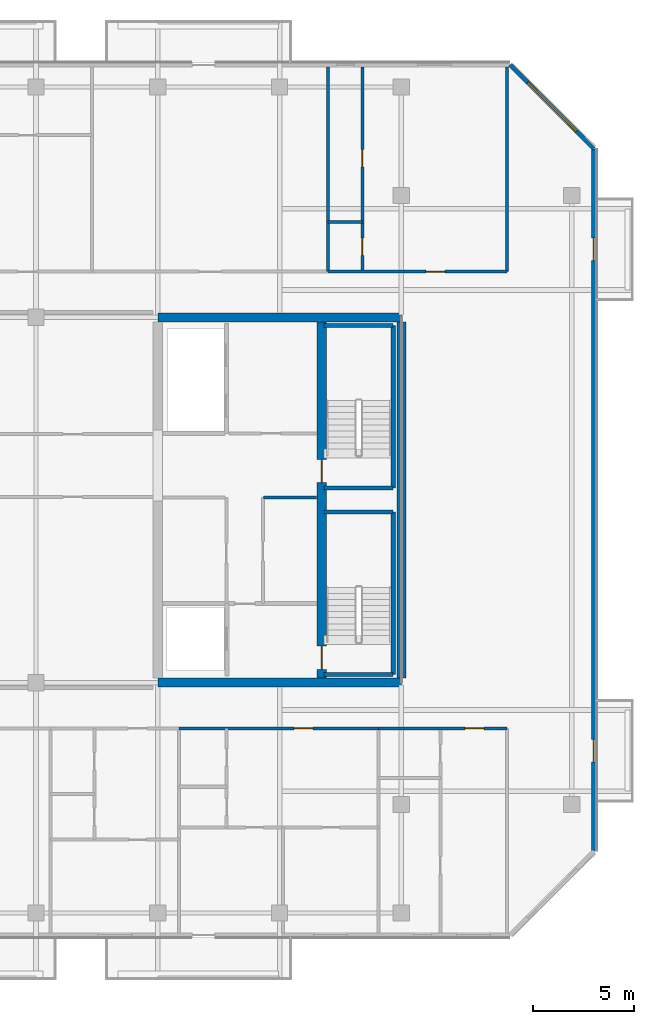
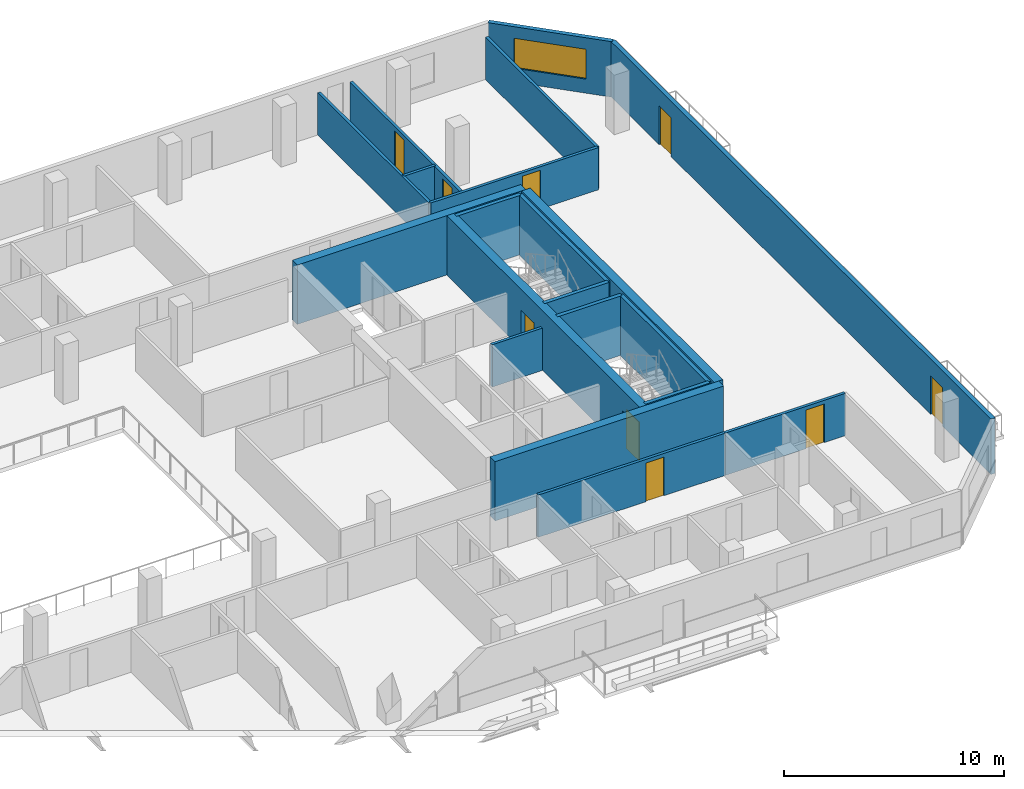
# One storey, part 15 of 20: 20 walls, 9 doors, 1 window, 10 openings.
"""IFC4 building model written with IfcOpenShell, lengths in metres."""

from ifc_helpers import new_model, si_unit, direction, frame, frame_2d, origin, place, context, subcontext, project, spatial, rectangle, extrude, material, layer, layer_set, type_object, element, fill, save


model = new_model("IFC4")

# Units and contexts
model_context = context("Model", 3, precision=1e-05, world=origin(), true_north=direction((0.0, 1.0)))
body_context = subcontext(model_context, "Body", "Model", "MODEL_VIEW")
ifc_project = project(units=[si_unit("LENGTHUNIT", "METRE"), si_unit("AREAUNIT", "SQUARE_METRE"), si_unit("VOLUMEUNIT", "CUBIC_METRE"), si_unit("PLANEANGLEUNIT", "RADIAN"), si_unit("MASSUNIT", "GRAM", prefix="KILO")], contexts=[model_context])

# Site, building, storey
site_placement = place(None, origin())
site = spatial("IfcSite", under=ifc_project, at=site_placement, CompositionType="ELEMENT")
building_placement = place(site_placement, origin())
building = spatial("IfcBuilding", under=site, at=building_placement, Name="Tanjung Sevakor Pilgrim Tower", CompositionType="ELEMENT")
storey_placement = place(building_placement, frame((0.0, 0.0, 201.6298828125)))
storey = spatial("IfcBuildingStorey", under=building, at=storey_placement, Name="L56", CompositionType="ELEMENT", Elevation=201.6298828125)

# Walls
ifc_material_1 = material(Name="Concrete C60/75", Category="concrete")
ifc_layer_1 = layer(ifc_material_1, 0.449951171875)
ifc_layer_set_1 = layer_set([ifc_layer_1], Name="WALL-CW-450")
wall_type_1 = type_object("IfcWallType", Name="WALL-CW-450", PredefinedType="SHEAR", material=ifc_layer_set_1)
for number, where, z_axis, x_axis, name in (
    (1, (78.0, 24.60009765625, 0.0), (0.0, 0.0, 1.0), (1.0, 0.0, 0.0), "L56 E Core South Shear Wall"),
    (2, (90.0, 42.60009765625, 0.0), (0.0, 0.0, 1.0), (-1.0, 0.0, 0.0), "L56 E Core North Shear Wall"),
):
    element("IfcWall", number, at=place(storey_placement, frame(where, z_axis=z_axis, x_axis=x_axis)), inside=storey, type_object=wall_type_1, Name=name, PredefinedType="SHEAR", context=body_context, shape_type="SweptSolid", body=[
        extrude(rectangle(XDim=12.0, YDim=0.449951171875, at=frame_2d((6.0, 0.0))), origin(), (0.0, 0.0, 1.0), 3.300048828125),
    ])
wall_1_placement = place(storey_placement, frame((90.0, 24.824951171875, 0.0), z_axis=(0.0, 0.0, 1.0), x_axis=(0.0, 1.0, 0.0)))
element("IfcWall", 3, at=wall_1_placement, inside=storey, type_object=wall_type_1, Name="L56 E Core Outer Shear Wall", PredefinedType="SHEAR", context=body_context, shape_type="SweptSolid", body=[
    extrude(rectangle(XDim=17.550048828125, YDim=0.449951171875, at=frame_2d((8.77490234375, 0.0))), origin(), (0.0, 0.0, 1.0), 3.300048828125),
])

# Wall, openings, doors
wall_2_placement = place(storey_placement, frame((86.074951171875, 24.824951171875, 0.0), z_axis=(0.0, 0.0, 1.0), x_axis=(0.0, 1.0, 0.0)))
wall_2 = element("IfcWall", 4, at=wall_2_placement, inside=storey, type_object=wall_type_1, Name="L56 E Core Stair Spine Wall", PredefinedType="SHEAR", context=body_context, shape_type="SweptSolid", body=[
    extrude(rectangle(XDim=17.550048828125, YDim=0.449951171875, at=frame_2d((8.77490234375, 0.0))), origin(), (0.0, 0.0, 1.0), 3.300048828125),
])
opening_1_placement = place(wall_2_placement, frame((0.425048828125, 0.0, 0.0)))
opening_1 = element("IfcOpeningElement", 5, at=opening_1_placement, cuts=wall_2, Name="Opening ID-ST1", PredefinedType="OPENING", context=body_context, shape_type="SweptSolid", body=[
    extrude(rectangle(XDim=1.14990234375, YDim=2.14990234375, at=frame_2d((0.574951171875, 1.074951171875))), frame((0.0, 0.23486328125, 0.0), z_axis=(0.0, -1.0, 0.0), x_axis=(1.0, 0.0, 0.0)), (0.0, 0.0, 1.0), 0.469970703125),
])
opening_2_placement = place(wall_2_placement, frame((9.625, 0.0, 0.0)))
opening_2 = element("IfcOpeningElement", 6, at=opening_2_placement, cuts=wall_2, Name="Opening ID-ST1", PredefinedType="OPENING", context=body_context, shape_type="SweptSolid", body=[
    extrude(rectangle(XDim=1.14990234375, YDim=2.14990234375, at=frame_2d((0.574951171875, 1.074951171875))), frame((0.0, 0.23486328125, 0.0), z_axis=(0.0, -1.0, 0.0), x_axis=(1.0, 0.0, 0.0)), (0.0, 0.0, 1.0), 0.469970703125),
])
ifc_material_2 = material(Name="Fire-Rated Steel S355J2", Category="steel")
door_type_1 = type_object("IfcDoorType", Name="DT-FIRE-1150", OperationType="NOTDEFINED", PredefinedType="DOOR", material=ifc_material_2)
door_1_placement = place(opening_1_placement, origin())
door_1 = element("IfcDoor", 7, at=door_1_placement, inside=storey, type_object=door_type_1, Name="L56 TS-E1 Stair Fire Door", OperationType="SINGLE_SWING_RIGHT", OverallHeight=2.14990234375, OverallWidth=1.14990234375, PredefinedType="DOOR", context=body_context, shape_type="SweptSolid", body=[
    extrude(rectangle(XDim=1.14990234375, YDim=2.14990234375, at=frame_2d((0.574951171875, 1.074951171875))), frame((0.0, 0.02490234375, 0.0), z_axis=(0.0, -1.0, 0.0), x_axis=(1.0, 0.0, 0.0)), (0.0, 0.0, 1.0), 0.050048828125),
])
fill(opening_1, door_1)
door_2_placement = place(opening_2_placement, origin())
door_2 = element("IfcDoor", 8, at=door_2_placement, inside=storey, type_object=door_type_1, Name="L56 TS-E2 Stair Fire Door", OperationType="SINGLE_SWING_LEFT", OverallHeight=2.14990234375, OverallWidth=1.14990234375, PredefinedType="DOOR", context=body_context, shape_type="SweptSolid", body=[
    extrude(rectangle(XDim=1.14990234375, YDim=2.14990234375, at=frame_2d((0.574951171875, 1.074951171875))), frame((0.0, 0.02490234375, 0.0), z_axis=(0.0, -1.0, 0.0), x_axis=(1.0, 0.0, 0.0)), (0.0, 0.0, 1.0), 0.050048828125),
])
fill(opening_2, door_2)

# Wall
ifc_material_3 = material(Name="Concrete C40/50", Category="concrete")
ifc_layer_2 = layer(ifc_material_3, 0.14990234375)
ifc_layer_set_2 = layer_set([ifc_layer_2], Name="WT-COMP-150")
wall_type_2 = type_object("IfcWallType", Name="WT-COMP-150", PredefinedType="SOLIDWALL", material=ifc_layer_set_2)
wall_3_placement = place(storey_placement, frame((83.199951171875, 33.719970703125, 0.0), z_axis=(0.0, 0.0, 1.0), x_axis=(1.0, 0.0, 0.0)))
element("IfcWall", 9, at=wall_3_placement, inside=storey, type_object=wall_type_2, Name="L56 Partition IW-L56-012", PredefinedType="SOLIDWALL", context=body_context, shape_type="SweptSolid", body=[
    extrude(rectangle(XDim=2.630126953125, YDim=0.14990234375, at=frame_2d((1.31494140625, 0.0))), origin(), (0.0, 0.0, 1.0), 2.35009765625),
])

# Wall, opening, door
wall_4_placement = place(storey_placement, frame((79.044921875, 22.35009765625, 0.0), z_axis=(0.0, 0.0, 1.0), x_axis=(1.0, 0.0, 0.0)))
wall_4 = element("IfcWall", 10, at=wall_4_placement, inside=storey, type_object=wall_type_2, Name="L56 Partition IW-L56-070", PredefinedType="SOLIDWALL", context=body_context, shape_type="SweptSolid", body=[
    extrude(rectangle(XDim=9.83349609375, YDim=0.14990234375, at=frame_2d((4.916748046875, 0.0))), origin(), (0.0, 0.0, 1.0), 2.35009765625),
])
opening_3_placement = place(wall_4_placement, frame((5.65673828125, 0.0, 0.0)))
opening_3 = element("IfcOpeningElement", 11, at=opening_3_placement, cuts=wall_4, Name="Opening ID-FD2", PredefinedType="OPENING", context=body_context, shape_type="SweptSolid", body=[
    extrude(rectangle(XDim=0.949951171875, YDim=2.14990234375, at=frame_2d((0.47509765625, 1.074951171875))), frame((0.0, 0.0849609375, 0.0), z_axis=(0.0, -1.0, 0.0), x_axis=(1.0, 0.0, 0.0)), (0.0, 0.0, 1.0), 0.169921875),
])
ifc_material_4 = material(Name="Fire-Rated Timber", Category="wood")
door_type_2 = type_object("IfcDoorType", Name="DT-FIRE-950", OperationType="NOTDEFINED", PredefinedType="DOOR", material=ifc_material_4)
door_3_placement = place(opening_3_placement, origin())
door_3 = element("IfcDoor", 12, at=door_3_placement, inside=storey, type_object=door_type_2, Name="Suite Entrance", OperationType="SINGLE_SWING_LEFT", OverallHeight=2.14990234375, OverallWidth=0.949951171875, PredefinedType="DOOR", context=body_context, shape_type="SweptSolid", body=[
    extrude(rectangle(XDim=0.949951171875, YDim=2.14990234375, at=frame_2d((0.47509765625, 1.074951171875))), frame((0.0, 0.02490234375, 0.0), z_axis=(0.0, -1.0, 0.0), x_axis=(1.0, 0.0, 0.0)), (0.0, 0.0, 1.0), 0.050048828125),
])
fill(opening_3, door_3)

wall_5_placement = place(storey_placement, frame((88.87841796875, 22.35009765625, 0.0), z_axis=(0.0, 0.0, 1.0), x_axis=(1.0, 0.0, 0.0)))
wall_5 = element("IfcWall", 13, at=wall_5_placement, inside=storey, type_object=wall_type_2, Name="L56 Partition IW-L56-073", PredefinedType="SOLIDWALL", context=body_context, shape_type="SweptSolid", body=[
    extrude(rectangle(XDim=6.321533203125, YDim=0.14990234375, at=frame_2d((3.16064453125, 0.0))), origin(), (0.0, 0.0, 1.0), 2.35009765625),
])
opening_4_placement = place(wall_5_placement, frame((4.24658203125, 0.0, 0.0)))
opening_4 = element("IfcOpeningElement", 14, at=opening_4_placement, cuts=wall_5, Name="Opening ID-FD2", PredefinedType="OPENING", context=body_context, shape_type="SweptSolid", body=[
    extrude(rectangle(XDim=0.949951171875, YDim=2.14990234375, at=frame_2d((0.47509765625, 1.074951171875))), frame((0.0, 0.0849609375, 0.0), z_axis=(0.0, -1.0, 0.0), x_axis=(1.0, 0.0, 0.0)), (0.0, 0.0, 1.0), 0.169921875),
])
door_4_placement = place(opening_4_placement, origin())
door_4 = element("IfcDoor", 15, at=door_4_placement, inside=storey, type_object=door_type_2, Name="Hostel Quad Entrance", OperationType="SINGLE_SWING_RIGHT", OverallHeight=2.14990234375, OverallWidth=0.949951171875, PredefinedType="DOOR", context=body_context, shape_type="SweptSolid", body=[
    extrude(rectangle(XDim=0.949951171875, YDim=2.14990234375, at=frame_2d((0.47509765625, 1.074951171875))), frame((0.0, 0.02490234375, 0.0), z_axis=(0.0, -1.0, 0.0), x_axis=(1.0, 0.0, 0.0)), (0.0, 0.0, 1.0), 0.050048828125),
])
fill(opening_4, door_4)

# Walls
for number, where, z_axis, x_axis, name in (
    (16, (95.199951171875, 44.85009765625, 0.0), (0.0, 0.0, 1.0), (0.0, 1.0, 0.0), "L56 Partition IW-L56-082"),
    (17, (86.395263671875, 44.85009765625, 0.0), (0.0, 0.0, 1.0), (0.0, 1.0, 0.0), "L56 Partition IW-L56-094"),
):
    element("IfcWall", number, at=place(storey_placement, frame(where, z_axis=z_axis, x_axis=x_axis)), inside=storey, type_object=wall_type_2, Name=name, PredefinedType="SOLIDWALL", context=body_context, shape_type="SweptSolid", body=[
        extrude(rectangle(XDim=10.079833984375, YDim=0.14990234375, at=frame_2d((5.0400390625, 0.0))), origin(), (0.0, 0.0, 1.0), 2.35009765625),
    ])

# Wall, opening, door
wall_6_placement = place(storey_placement, frame((86.395263671875, 44.85009765625, 0.0), z_axis=(0.0, 0.0, 1.0), x_axis=(1.0, 0.0, 0.0)))
wall_6 = element("IfcWall", 18, at=wall_6_placement, inside=storey, type_object=wall_type_2, Name="L56 Partition IW-L56-098", PredefinedType="SOLIDWALL", context=body_context, shape_type="SweptSolid", body=[
    extrude(rectangle(XDim=8.8046875, YDim=0.14990234375, at=frame_2d((4.40234375, 0.0))), origin(), (0.0, 0.0, 1.0), 2.35009765625),
])
opening_5_placement = place(wall_6_placement, frame((4.809814453125, 0.0, 0.0)))
opening_5 = element("IfcOpeningElement", 19, at=opening_5_placement, cuts=wall_6, Name="Opening ID-FD2", PredefinedType="OPENING", context=body_context, shape_type="SweptSolid", body=[
    extrude(rectangle(XDim=0.949951171875, YDim=2.14990234375, at=frame_2d((0.47509765625, 1.074951171875))), frame((0.0, 0.0849609375, 0.0), z_axis=(0.0, -1.0, 0.0), x_axis=(1.0, 0.0, 0.0)), (0.0, 0.0, 1.0), 0.169921875),
])
door_5_placement = place(opening_5_placement, origin())
door_5 = element("IfcDoor", 20, at=door_5_placement, inside=storey, type_object=door_type_2, Name="Hostel Quad Entrance", OperationType="SINGLE_SWING_LEFT", OverallHeight=2.14990234375, OverallWidth=0.949951171875, PredefinedType="DOOR", context=body_context, shape_type="SweptSolid", body=[
    extrude(rectangle(XDim=0.949951171875, YDim=2.14990234375, at=frame_2d((0.47509765625, 1.074951171875))), frame((0.0, 0.02490234375, 0.0), z_axis=(0.0, -1.0, 0.0), x_axis=(1.0, 0.0, 0.0)), (0.0, 0.0, 1.0), 0.050048828125),
])
fill(opening_5, door_5)

# Wall, openings, doors
ifc_material_5 = material(Name="Precast concrete C45/55", Category="concrete")
ifc_layer_3 = layer(ifc_material_5, 0.219970703125)
ifc_layer_set_3 = layer_set([ifc_layer_3], Name="WT-EW-STN4")
wall_type_3 = type_object("IfcWallType", Name="WT-EW-STN4", PredefinedType="SOLIDWALL", material=ifc_layer_set_3)
wall_7_placement = place(storey_placement, frame((99.489990234375, 16.295654296875, 0.0), z_axis=(0.0, 0.0, 1.0), x_axis=(0.0, 1.0, 0.0)))
wall_7 = element("IfcWall", 21, at=wall_7_placement, inside=storey, type_object=wall_type_3, Name="L56 MAIN Exterior Wall 7", PredefinedType="SOLIDWALL", context=body_context, shape_type="SweptSolid", body=[
    extrude(rectangle(XDim=34.608642578125, YDim=0.219970703125, at=frame_2d((17.30419921875, 0.0))), origin(), (0.0, 0.0, 1.0), 3.080078125),
])
opening_6_placement = place(wall_7_placement, frame((4.404296875, 0.0, 0.0)))
opening_6 = element("IfcOpeningElement", 22, at=opening_6_placement, cuts=wall_7, Name="Opening ED-BAL-1100", PredefinedType="OPENING", context=body_context, shape_type="SweptSolid", body=[
    extrude(rectangle(XDim=1.10009765625, YDim=2.14990234375, at=frame_2d((0.550048828125, 1.074951171875))), frame((0.0, 0.119873046875, 0.0), z_axis=(0.0, -1.0, 0.0), x_axis=(1.0, 0.0, 0.0)), (0.0, 0.0, 1.0), 0.239990234375),
])
opening_7_placement = place(wall_7_placement, frame((29.1044921875, 0.0, 0.0)))
opening_7 = element("IfcOpeningElement", 23, at=opening_7_placement, cuts=wall_7, Name="Opening ED-BAL-1100", PredefinedType="OPENING", context=body_context, shape_type="SweptSolid", body=[
    extrude(rectangle(XDim=1.10009765625, YDim=2.14990234375, at=frame_2d((0.550048828125, 1.074951171875))), frame((0.0, 0.119873046875, 0.0), z_axis=(0.0, -1.0, 0.0), x_axis=(1.0, 0.0, 0.0)), (0.0, 0.0, 1.0), 0.239990234375),
])
ifc_material_6 = material(Name="Anodised Aluminium and Laminated Glass", Category="aluminium")
door_type_3 = type_object("IfcDoorType", Name="DTYP-ED-BAL-1100", OperationType="NOTDEFINED", PredefinedType="DOOR", material=ifc_material_6)
door_6_placement = place(opening_6_placement, frame((1.10009765625, 0.0, 0.0), z_axis=(0.0, 0.0, 1.0), x_axis=(-1.0, 0.0, 0.0)))
door_6 = element("IfcDoor", 24, at=door_6_placement, inside=storey, type_object=door_type_3, Name="L56 East Loggia Door MAIN-E1", OperationType="SINGLE_SWING_RIGHT", OverallHeight=2.14990234375, OverallWidth=1.10009765625, PredefinedType="DOOR", context=body_context, shape_type="SweptSolid", body=[
    extrude(rectangle(XDim=1.10009765625, YDim=2.14990234375, at=frame_2d((0.550048828125, 1.074951171875))), frame((0.0, 0.02490234375, 0.0), z_axis=(0.0, -1.0, 0.0), x_axis=(1.0, 0.0, 0.0)), (0.0, 0.0, 1.0), 0.050048828125),
])
fill(opening_6, door_6)
door_7_placement = place(opening_7_placement, frame((1.10009765625, 0.0, 0.0), z_axis=(0.0, 0.0, 1.0), x_axis=(-1.0, 0.0, 0.0)))
door_7 = element("IfcDoor", 25, at=door_7_placement, inside=storey, type_object=door_type_3, Name="L56 East Loggia Door MAIN-E2", OperationType="SINGLE_SWING_LEFT", OverallHeight=2.14990234375, OverallWidth=1.10009765625, PredefinedType="DOOR", context=body_context, shape_type="SweptSolid", body=[
    extrude(rectangle(XDim=1.10009765625, YDim=2.14990234375, at=frame_2d((0.550048828125, 1.074951171875))), frame((0.0, 0.02490234375, 0.0), z_axis=(0.0, -1.0, 0.0), x_axis=(1.0, 0.0, 0.0)), (0.0, 0.0, 1.0), 0.050048828125),
])
fill(opening_7, door_7)

# Wall, opening, window
wall_8_placement = place(storey_placement, frame((99.489990234375, 50.904296875, 0.0), z_axis=(0.0, 0.0, 1.0), x_axis=(-0.707085909342, 0.707127652415, 0.0)))
wall_8 = element("IfcWall", 26, at=wall_8_placement, inside=storey, type_object=wall_type_3, Name="L56 MAIN Sculpted Corner Wall 7", PredefinedType="SOLIDWALL", context=body_context, shape_type="SweptSolid", body=[
    extrude(rectangle(XDim=5.8486328125, YDim=0.219970703125, at=frame_2d((2.92431640625, 0.0))), origin(), (0.0, 0.0, 1.0), 3.080078125),
])
opening_8_placement = place(wall_8_placement, frame((1.224365234375, 0.0, 0.780029296875)))
opening_8 = element("IfcOpeningElement", 27, at=opening_8_placement, cuts=wall_8, Name="Opening WN-CHM-1660", PredefinedType="OPENING", context=body_context, shape_type="SweptSolid", body=[
    extrude(rectangle(XDim=3.39990234375, YDim=1.659912109375, at=frame_2d((1.699951171875, 0.830078125))), frame((0.0, 0.119873046875, 0.0), z_axis=(0.0, -1.0, 0.0), x_axis=(1.0, 0.0, 0.0)), (0.0, 0.0, 1.0), 0.239990234375),
])
ifc_material_7 = material(Name="Thermally Broken Aluminium and Low-E Glass", Category="aluminium")
window_type = type_object("IfcWindowType", Name="WTYP-WN-CHM-1660", PartitioningType="DOUBLE_PANEL_VERTICAL", PredefinedType="WINDOW", material=ifc_material_7)
window_placement = place(opening_8_placement, origin())
window = element("IfcWindow", 28, at=window_placement, inside=storey, type_object=window_type, Name="L56 Facade Window 01", OverallHeight=1.659912109375, OverallWidth=3.39990234375, PartitioningType="SINGLE_PANEL", PredefinedType="WINDOW", context=body_context, shape_type="SweptSolid", body=[
    extrude(rectangle(XDim=3.39990234375, YDim=1.659912109375, at=frame_2d((1.699951171875, 0.830078125))), frame((0.0, 0.030029296875, 0.0), z_axis=(0.0, -1.0, 0.0), x_axis=(1.0, 0.0, 0.0)), (0.0, 0.0, 1.0), 0.06005859375),
])
fill(opening_8, window)

# Walls
ifc_material_8 = material(Name="Concrete C40/50", Category="concrete")
ifc_layer_4 = layer(ifc_material_8, 0.199951171875)
ifc_layer_set_4 = layer_set([ifc_layer_4], Name="WT-FIRE-200")
wall_type_4 = type_object("IfcWallType", Name="WT-FIRE-200", PredefinedType="SOLIDWALL", material=ifc_layer_set_4)
wall_9_placement = place(storey_placement, frame((86.199951171875, 25.0, 0.0), z_axis=(0.0, 0.0, 1.0), x_axis=(1.0, 0.0, 0.0)))
element("IfcWall", 29, at=wall_9_placement, inside=storey, type_object=wall_type_4, Name="L56 TS-E1 Shaft Wall 1", PredefinedType="SOLIDWALL", context=body_context, shape_type="SweptSolid", body=[
    extrude(rectangle(XDim=3.400146484375, YDim=0.199951171875, at=frame_2d((1.7001953125, 0.0))), origin(), (0.0, 0.0, 1.0), 3.300048828125),
])
wall_10_placement = place(storey_placement, frame((89.60009765625, 25.0, 0.0), z_axis=(0.0, 0.0, 1.0), x_axis=(0.0, 1.0, 0.0)))
element("IfcWall", 30, at=wall_10_placement, inside=storey, type_object=wall_type_4, Name="L56 TS-E1 Shaft Wall 2", PredefinedType="SOLIDWALL", context=body_context, shape_type="SweptSolid", body=[
    extrude(rectangle(XDim=8.0, YDim=0.199951171875, at=frame_2d((4.0, 0.0))), origin(), (0.0, 0.0, 1.0), 3.300048828125),
])
for number, where, z_axis, x_axis, name in (
    (31, (89.60009765625, 33.0, 0.0), (0.0, 0.0, 1.0), (-1.0, 0.0, 0.0), "L56 TS-E1 Shaft Wall 3"),
    (32, (86.199951171875, 34.199951171875, 0.0), (0.0, 0.0, 1.0), (1.0, 0.0, 0.0), "L56 TS-E2 Shaft Wall 1"),
):
    element("IfcWall", number, at=place(storey_placement, frame(where, z_axis=z_axis, x_axis=x_axis)), inside=storey, type_object=wall_type_4, Name=name, PredefinedType="SOLIDWALL", context=body_context, shape_type="SweptSolid", body=[
        extrude(rectangle(XDim=3.400146484375, YDim=0.199951171875, at=frame_2d((1.7001953125, 0.0))), origin(), (0.0, 0.0, 1.0), 3.300048828125),
    ])
wall_11_placement = place(storey_placement, frame((89.60009765625, 34.199951171875, 0.0), z_axis=(0.0, 0.0, 1.0), x_axis=(0.0, 1.0, 0.0)))
element("IfcWall", 33, at=wall_11_placement, inside=storey, type_object=wall_type_4, Name="L56 TS-E2 Shaft Wall 2", PredefinedType="SOLIDWALL", context=body_context, shape_type="SweptSolid", body=[
    extrude(rectangle(XDim=8.0, YDim=0.199951171875, at=frame_2d((4.0, 0.0))), origin(), (0.0, 0.0, 1.0), 3.300048828125),
])
wall_12_placement = place(storey_placement, frame((89.60009765625, 42.199951171875, 0.0), z_axis=(0.0, 0.0, 1.0), x_axis=(-1.0, 0.0, 0.0)))
element("IfcWall", 34, at=wall_12_placement, inside=storey, type_object=wall_type_4, Name="L56 TS-E2 Shaft Wall 3", PredefinedType="SOLIDWALL", context=body_context, shape_type="SweptSolid", body=[
    extrude(rectangle(XDim=3.400146484375, YDim=0.199951171875, at=frame_2d((1.7001953125, 0.0))), origin(), (0.0, 0.0, 1.0), 3.300048828125),
])
ifc_material_9 = material(Name="Gypsum Board Partition", Category="gypsum board")
ifc_layer_5 = layer(ifc_material_9, 0.14990234375)
ifc_layer_set_5 = layer_set([ifc_layer_5], Name="WT-PART-150")
wall_type_5 = type_object("IfcWallType", Name="WT-PART-150", PredefinedType="PARTITIONING", material=ifc_layer_set_5)
wall_13_placement = place(storey_placement, frame((86.395263671875, 47.300048828125, 0.0), z_axis=(0.0, 0.0, 1.0), x_axis=(1.0, 0.0, 0.0)))
element("IfcWall", 35, at=wall_13_placement, inside=storey, type_object=wall_type_5, Name="L56 Partition IW-L56-096", PredefinedType="PARTITIONING", context=body_context, shape_type="SweptSolid", body=[
    extrude(rectangle(XDim=1.684814453125, YDim=0.14990234375, at=frame_2d((0.84228515625, 0.0))), origin(), (0.0, 0.0, 1.0), 2.35009765625),
])

# Wall, openings, doors
wall_14_placement = place(storey_placement, frame((88.080078125, 44.85009765625, 0.0), z_axis=(0.0, 0.0, 1.0), x_axis=(0.0, 1.0, 0.0)))
wall_14 = element("IfcWall", 36, at=wall_14_placement, inside=storey, type_object=wall_type_5, Name="L56 Partition IW-L56-097", PredefinedType="PARTITIONING", context=body_context, shape_type="SweptSolid", body=[
    extrude(rectangle(XDim=10.079833984375, YDim=0.14990234375, at=frame_2d((5.0400390625, 0.0))), origin(), (0.0, 0.0, 1.0), 2.35009765625),
])
opening_9_placement = place(wall_14_placement, frame((0.800048828125, 0.0, 0.0)))
opening_9 = element("IfcOpeningElement", 37, at=opening_9_placement, cuts=wall_14, Name="Opening ID-WC1", PredefinedType="OPENING", context=body_context, shape_type="SweptSolid", body=[
    extrude(rectangle(XDim=0.85009765625, YDim=2.10009765625, at=frame_2d((0.425048828125, 1.050048828125))), frame((0.0, 0.0849609375, 0.0), z_axis=(0.0, -1.0, 0.0), x_axis=(1.0, 0.0, 0.0)), (0.0, 0.0, 1.0), 0.169921875),
])
opening_10_placement = place(wall_14_placement, frame((5.162109375, 0.0, 0.0)))
opening_10 = element("IfcOpeningElement", 38, at=opening_10_placement, cuts=wall_14, Name="Opening ID-WC1", PredefinedType="OPENING", context=body_context, shape_type="SweptSolid", body=[
    extrude(rectangle(XDim=0.85009765625, YDim=2.10009765625, at=frame_2d((0.425048828125, 1.050048828125))), frame((0.0, 0.0849609375, 0.0), z_axis=(0.0, -1.0, 0.0), x_axis=(1.0, 0.0, 0.0)), (0.0, 0.0, 1.0), 0.169921875),
])
ifc_material_10 = material(Name="Moisture-Resistant Timber", Category="wood")
door_type_4 = type_object("IfcDoorType", Name="DT-INT-850", OperationType="NOTDEFINED", PredefinedType="DOOR", material=ifc_material_10)
door_8_placement = place(opening_9_placement, origin())
door_8 = element("IfcDoor", 39, at=door_8_placement, inside=storey, type_object=door_type_4, Name="Bathroom Door", OperationType="SINGLE_SWING_LEFT", OverallHeight=2.10009765625, OverallWidth=0.85009765625, PredefinedType="DOOR", context=body_context, shape_type="SweptSolid", body=[
    extrude(rectangle(XDim=0.85009765625, YDim=2.10009765625, at=frame_2d((0.425048828125, 1.050048828125))), frame((0.0, 0.02490234375, 0.0), z_axis=(0.0, -1.0, 0.0), x_axis=(1.0, 0.0, 0.0)), (0.0, 0.0, 1.0), 0.050048828125),
])
fill(opening_9, door_8)
door_9_placement = place(opening_10_placement, origin())
door_9 = element("IfcDoor", 40, at=door_9_placement, inside=storey, type_object=door_type_4, Name="Study Nook Door", OperationType="SINGLE_SWING_RIGHT", OverallHeight=2.10009765625, OverallWidth=0.85009765625, PredefinedType="DOOR", context=body_context, shape_type="SweptSolid", body=[
    extrude(rectangle(XDim=0.85009765625, YDim=2.10009765625, at=frame_2d((0.425048828125, 1.050048828125))), frame((0.0, 0.02490234375, 0.0), z_axis=(0.0, -1.0, 0.0), x_axis=(1.0, 0.0, 0.0)), (0.0, 0.0, 1.0), 0.050048828125),
])
fill(opening_10, door_9)

save(model, "model.ifc")
